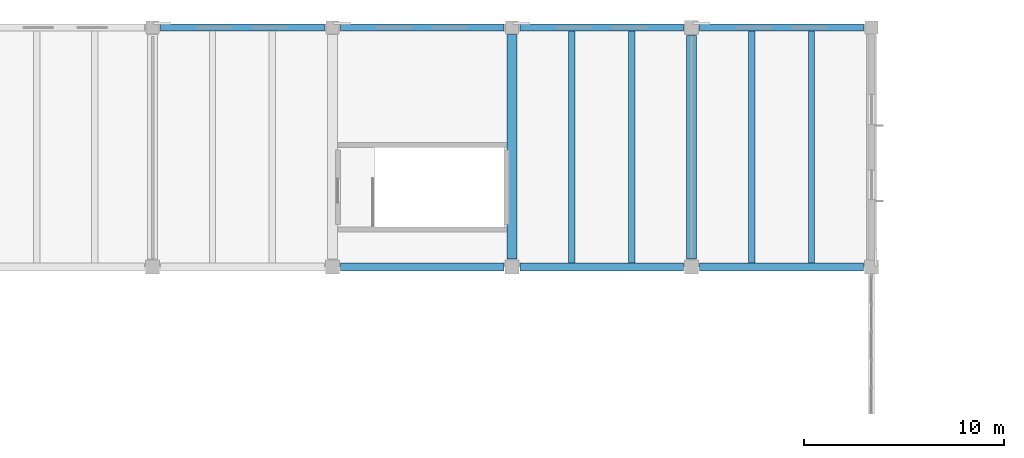
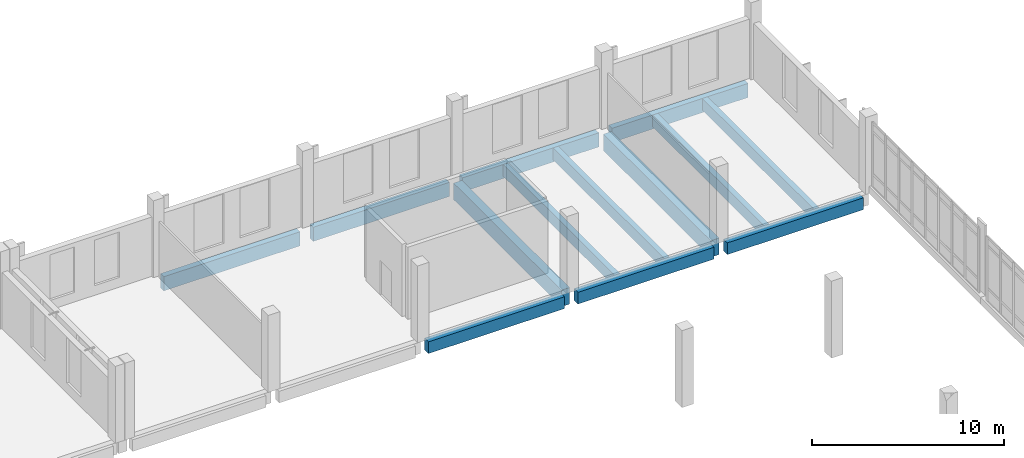
# One storey, part 53 of 110: 13 beams.
"""IFC4 building model written with IfcOpenShell, lengths in metres."""

from ifc_helpers import new_model, si_unit, direction, frame, origin, origin_2d, place, context, subcontext, project, spatial, rectangle, extrude, material, material_profile, profile_set, type_object, element, save


model = new_model("IFC4")

# Units and contexts
model_context = context("Model", 3, precision=1e-05, world=origin(), true_north=direction((0.0, 1.0)))
body_context = subcontext(model_context, "Body", "Model", "MODEL_VIEW")
ifc_project = project(units=[si_unit("LENGTHUNIT", "METRE"), si_unit("AREAUNIT", "SQUARE_METRE"), si_unit("VOLUMEUNIT", "CUBIC_METRE"), si_unit("PLANEANGLEUNIT", "RADIAN"), si_unit("MASSUNIT", "GRAM", prefix="KILO")], contexts=[model_context])

# Site, building, storey
site_placement = place(None, origin())
site = spatial("IfcSite", under=ifc_project, at=site_placement, CompositionType="ELEMENT")
building_placement = place(site_placement, origin())
building = spatial("IfcBuilding", under=site, at=building_placement, Name="Zacnel Wholesale Market", CompositionType="ELEMENT")
storey_placement = place(building_placement, frame((0.0, 0.0, 6.300048828125)))
storey = spatial("IfcBuildingStorey", under=building, at=storey_placement, Name="L02", CompositionType="ELEMENT", Elevation=6.300048828125)

# Beams
ifc_material_1 = material(Name="Precast concrete C45/55", Category="concrete")
ifc_material_profile_1 = material_profile(ifc_material_1, rectangle(XDim=0.320068359375, YDim=0.75, at=origin_2d()), Name="DT RIB 320x750")
ifc_profile_set_1 = profile_set([ifc_material_profile_1], Name="Precast concrete C45/55")
beam_type_1 = type_object("IfcBeamType", Name="BM-DT750", PredefinedType="JOIST", material=ifc_profile_set_1)
for number, where, z_axis, x_axis, name in (
    (1, (174.0, 132.199951171875, -0.655029296875), (0.0, 1.0, 0.0), (-1.0, 0.0, 0.0), "Precast secondary joist L02-0341"),
    (2, (177.0, 132.199951171875, -0.655029296875), (0.0, 1.0, 0.0), (-1.0, 0.0, 0.0), "Precast secondary joist L02-0342"),
    (3, (183.0, 132.199951171875, -0.655029296875), (0.0, 1.0, 0.0), (-1.0, 0.0, 0.0), "Precast secondary joist L02-0343"),
    (4, (186.0, 132.199951171875, -0.655029296875), (0.0, 1.0, 0.0), (-1.0, 0.0, 0.0), "Precast secondary joist L02-0344"),
):
    element("IfcBeam", number, at=place(storey_placement, frame(where, z_axis=z_axis, x_axis=x_axis)), inside=storey, type_object=beam_type_1, Name=name, PredefinedType="JOIST", context=body_context, shape_type="SweptSolid", body=[
        extrude(rectangle(XDim=0.320068359375, YDim=0.75, at=origin_2d()), origin(), (0.0, 0.0, 1.0), 11.625),
    ])
ifc_material_2 = material(Name="Precast concrete C45/55", Category="concrete")
ifc_material_profile_2 = material_profile(ifc_material_2, rectangle(XDim=0.5, YDim=1.050048828125, at=origin_2d()), Name="PG 500x1050")
ifc_profile_set_2 = profile_set([ifc_material_profile_2], Name="Precast concrete C45/55")
beam_type_2 = type_object("IfcBeamType", Name="BM-PG1050", PredefinedType="T_BEAM", material=ifc_profile_set_2)
beam_1_placement = place(storey_placement, frame((171.0, 132.39990234375, -0.804931640625), z_axis=(0.0, 1.0, 0.0), x_axis=(-1.0, 0.0, 0.0)))
element("IfcBeam", 5, at=beam_1_placement, inside=storey, type_object=beam_type_2, Name="Precast girder Y-0501", PredefinedType="T_BEAM", context=body_context, shape_type="SweptSolid", body=[
    extrude(rectangle(XDim=0.5, YDim=1.050048828125, at=origin_2d()), origin(), (0.0, 0.0, 1.0), 11.25),
])
beam_2_placement = place(storey_placement, frame((180.0, 132.39990234375, -0.804931640625), z_axis=(0.0, 1.0, 0.0), x_axis=(-1.0, 0.0, 0.0)))
element("IfcBeam", 6, at=beam_2_placement, inside=storey, type_object=beam_type_2, Name="Precast girder Y-0512", PredefinedType="T_BEAM", context=body_context, shape_type="SweptSolid", body=[
    extrude(rectangle(XDim=0.5, YDim=1.050048828125, at=origin_2d()), origin(), (0.0, 0.0, 1.0), 11.2001953125),
])
ifc_material_3 = material(Name="Precast concrete C45/55", Category="concrete")
ifc_material_profile_3 = material_profile(ifc_material_3, rectangle(XDim=0.39990234375, YDim=0.75, at=origin_2d()), Name="PG 400x750")
ifc_profile_set_3 = profile_set([ifc_material_profile_3], Name="Precast concrete C45/55")
beam_type_3 = type_object("IfcBeamType", Name="BM-PG750", PredefinedType="BEAM", material=ifc_profile_set_3)
for number, where, z_axis, x_axis, name in (
    (7, (162.39990234375, 132.0, -0.655029296875), (1.0, 0.0, 0.0), (0.0, 1.0, 0.0), "Precast girder X-0276"),
    (8, (171.39990234375, 132.0, -0.655029296875), (1.0, 0.0, 0.0), (0.0, 1.0, 0.0), "Precast girder X-0277"),
    (9, (180.39990234375, 132.0, -0.655029296875), (1.0, 0.0, 0.0), (0.0, 1.0, 0.0), "Precast girder X-0278"),
):
    element("IfcBeam", number, at=place(storey_placement, frame(where, z_axis=z_axis, x_axis=x_axis)), inside=storey, type_object=beam_type_3, Name=name, PredefinedType="BEAM", context=body_context, shape_type="SweptSolid", body=[
        extrude(rectangle(XDim=0.39990234375, YDim=0.75, at=origin_2d()), origin(), (0.0, 0.0, 1.0), 8.2001953125),
    ])
ifc_material_4 = material(Name="Precast concrete C45/55", Category="concrete")
ifc_material_profile_4 = material_profile(ifc_material_4, rectangle(XDim=0.35009765625, YDim=0.89990234375, at=origin_2d()), Name="SP 350x900")
ifc_profile_set_4 = profile_set([ifc_material_profile_4], Name="Precast concrete C45/55")
beam_type_4 = type_object("IfcBeamType", Name="BM-SP900", PredefinedType="SPANDREL", material=ifc_profile_set_4)
for number, where, z_axis, x_axis, name in (
    (10, (153.39990234375, 144.0, -0.72998046875), (1.0, 0.0, 0.0), (0.0, 1.0, 0.0), "Precast girder X-0296"),
    (11, (162.39990234375, 144.0, -0.72998046875), (1.0, 0.0, 0.0), (0.0, 1.0, 0.0), "Precast girder X-0297"),
    (12, (171.39990234375, 144.0, -0.72998046875), (1.0, 0.0, 0.0), (0.0, 1.0, 0.0), "Precast girder X-0298"),
    (13, (180.39990234375, 144.0, -0.72998046875), (1.0, 0.0, 0.0), (0.0, 1.0, 0.0), "Precast girder X-0299"),
):
    element("IfcBeam", number, at=place(storey_placement, frame(where, z_axis=z_axis, x_axis=x_axis)), inside=storey, type_object=beam_type_4, Name=name, PredefinedType="SPANDREL", context=body_context, shape_type="SweptSolid", body=[
        extrude(rectangle(XDim=0.35009765625, YDim=0.89990234375, at=origin_2d()), origin(), (0.0, 0.0, 1.0), 8.2001953125),
    ])

save(model, "model.ifc")
